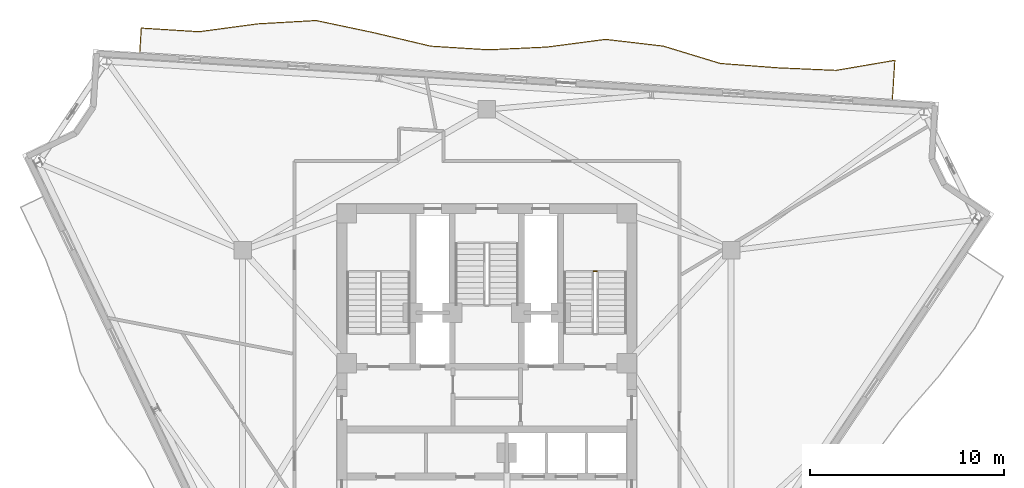
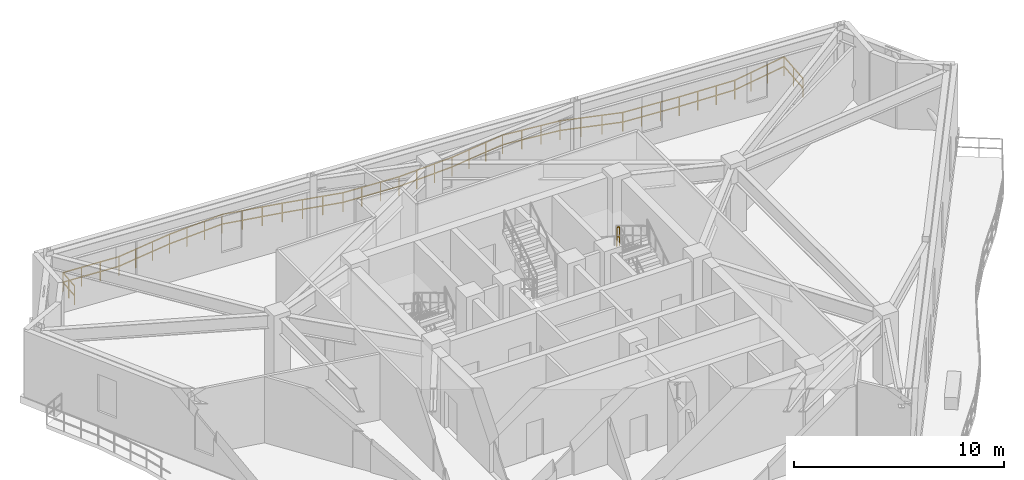
# One storey, part 11 of 11: 2 railings.
"""IFC4 building model written with IfcOpenShell, lengths in metres."""

import ifcopenshell
import ifcopenshell.guid

model = None  # the IFC model being written
_history = None  # IfcOwnerHistory: only IFC2X3 demands one
_inside = {}  # id of a spatial element -> (the spatial element, [elements in it])
_under = {}  # id of a project, library or spatial element -> (it, [spatial elements below it])
_declared = {}  # id of a project -> (the project, [libraries it declares])
_typed = {}  # id of a type object -> (the type object, [elements of that type])
_made_of = {}  # id of a material, layer set ... -> (it, [elements and type objects made of it])


def new_model(schema):
    """Start an empty IFC model of exactly this schema.

    Asked for "IFC4X3", IfcOpenShell would pick the latest addendum, in which some entities
    have other attributes; the version numbers below select the first issue.
    IFC2X3 requires an IfcOwnerHistory on every rooted entity: one is made here for all.
    """
    global model, _history
    if schema == "IFC4X3":
        model = ifcopenshell.file(schema_version=(4, 3, 0, 0))
    else:
        model = ifcopenshell.file(schema=schema)
    _inside.clear()
    _under.clear()
    _declared.clear()
    _typed.clear()
    _made_of.clear()
    _history = None
    if model.schema == "IFC2X3":
        org = make("IfcOrganization", Name="unknown")
        user = make(
            "IfcPersonAndOrganization",
            ThePerson=make("IfcPerson", FamilyName="unknown"),
            TheOrganization=org,
        )
        app = make(
            "IfcApplication",
            ApplicationDeveloper=org,
            Version="unknown",
            ApplicationFullName="unknown",
            ApplicationIdentifier="unknown",
        )
        _history = make(
            "IfcOwnerHistory",
            OwningUser=user,
            OwningApplication=app,
            ChangeAction="ADDED",
            CreationDate=0,
        )
    return model


def make(cls, **values):
    """One entity of the class cls with the attributes given. An attribute that is None is left unset."""
    return model.create_entity(
        cls, **{name: value for name, value in values.items() if value is not None}
    )


def rooted(cls, **values):
    """An entity with a GlobalId (a new one), such as an element, a storey or a relation."""
    return make(cls, GlobalId=ifcopenshell.guid.new(), OwnerHistory=_history, **values)


def si_unit(unit_type, name, prefix=None):
    """IfcSIUnit, for example si_unit("LENGTHUNIT", "METRE", prefix="MILLI")."""
    return make("IfcSIUnit", UnitType=unit_type, Prefix=prefix, Name=name)


def assignment(units):
    """IfcUnitAssignment: the units of a project."""
    return None if units is None else make("IfcUnitAssignment", Units=units)


def point(xyz):
    """IfcCartesianPoint."""
    return None if xyz is None else make("IfcCartesianPoint", Coordinates=xyz)


def direction(xyz):
    """IfcDirection."""
    return None if xyz is None else make("IfcDirection", DirectionRatios=xyz)


def frame(location, z_axis=None, x_axis=None):
    """IfcAxis2Placement3D, a coordinate frame: its origin and axes. An axis left out is left unset."""
    return make(
        "IfcAxis2Placement3D",
        Location=point(location),
        Axis=direction(z_axis),
        RefDirection=direction(x_axis),
    )


def frame_2d(location, x_axis=None):
    """IfcAxis2Placement2D, a coordinate frame in the plane: its origin and x axis."""
    return make(
        "IfcAxis2Placement2D", Location=point(location), RefDirection=direction(x_axis)
    )


def origin():
    """The frame at (0, 0, 0) with its axes left unset."""
    return frame((0.0, 0.0, 0.0))


def origin_2d():
    """The frame at (0, 0) in the plane with its x axis left unset."""
    return frame_2d((0.0, 0.0))


def place(relative_to, where):
    """IfcLocalPlacement: puts the frame where relative to a parent placement (None: the world)."""
    return make(
        "IfcLocalPlacement", PlacementRelTo=relative_to, RelativePlacement=where
    )


def context(
    kind, dimensions, precision=None, world=None, true_north=None, identifier=None
):
    """IfcGeometricRepresentationContext, for example the 3D "Model" context."""
    return make(
        "IfcGeometricRepresentationContext",
        ContextIdentifier=identifier,
        ContextType=kind,
        CoordinateSpaceDimension=dimensions,
        Precision=precision,
        WorldCoordinateSystem=world,
        TrueNorth=true_north,
    )


def subcontext(parent, identifier, kind, view, scale=None):
    """IfcGeometricRepresentationSubContext, for example "Body" below "Model"."""
    return make(
        "IfcGeometricRepresentationSubContext",
        ContextIdentifier=identifier,
        ContextType=kind,
        ParentContext=parent,
        TargetScale=scale,
        TargetView=view,
    )


def project(units=None, contexts=None):
    """IfcProject with its units and contexts."""
    return rooted(
        "IfcProject",
        Name="project",
        RepresentationContexts=contexts,
        UnitsInContext=assignment(units),
    )


def spatial(cls, under=None, at=None, **own):
    """A site, building, storey or space (cls), placed at a placement, below another one or the project."""
    s = rooted(cls, ObjectPlacement=at, **own)
    if under is not None:
        _under.setdefault(under.id(), (under, []))[1].append(s)
    return s


def profile(cls, at=None, kind="AREA", **sizes):
    """A parametric profile (cls). Its sizes go by their IFC names, for example OverallWidth=200.0."""
    return make(cls, ProfileType=kind, Position=at, **sizes)


def rectangle(**sizes):
    """IfcRectangleProfileDef."""
    return profile("IfcRectangleProfileDef", **sizes)


def extrude(swept, where, along, depth):
    """IfcExtrudedAreaSolid: the profile swept, set in the frame where, extruded along a direction by depth."""
    return make(
        "IfcExtrudedAreaSolid",
        SweptArea=swept,
        Position=where,
        ExtrudedDirection=direction(along),
        Depth=depth,
    )


def shape(context_of_items, identifier, shape_type, items):
    """IfcShapeRepresentation: the items that make up one representation, for example the "Body"."""
    return make(
        "IfcShapeRepresentation",
        ContextOfItems=context_of_items,
        RepresentationIdentifier=identifier,
        RepresentationType=shape_type,
        Items=items,
    )


def material(Name=None, Category=None):
    """IfcMaterial."""
    return make("IfcMaterial", Name=Name, Category=Category)


def made_of(thing, what):
    """Note that an element or type object is made of a material, layer set ...; save() writes the relation."""
    if what is not None:
        _made_of.setdefault(what.id(), (what, []))[1].append(thing)
    return thing


def type_object(cls, material=None, **own):
    """A type object (cls), such as IfcWallType, which elements share."""
    return made_of(rooted(cls, **own), material)


def element(
    cls,
    number,
    at=None,
    inside=None,
    cuts=None,
    type_object=None,
    material=None,
    context=None,
    identifier="Body",
    shape_type=None,
    held_by="IfcProductDefinitionShape",
    body=None,
    shapes=None,
    **own,
):
    """One element of the class cls, such as IfcWall. Its Tag is "e" and its number.

    at: its placement. inside: the storey or other place that contains it. cuts: it is an
    opening in that element (IfcRelVoidsElement). A single representation is given by context,
    identifier, shape_type and body (its items); several are given by shapes. held_by: the class
    of the entity that holds the representations. save() writes the other relations.
    """
    e = rooted(cls, Tag="e%d" % number, ObjectPlacement=at, **own)
    if body is not None:
        shapes = [shape(context, identifier, shape_type, body)]
    if shapes is not None:
        e.Representation = make(held_by, Representations=shapes)
    if inside is not None:
        _inside.setdefault(inside.id(), (inside, []))[1].append(e)
    if cuts is not None:
        rooted(
            "IfcRelVoidsElement", RelatingBuildingElement=cuts, RelatedOpeningElement=e
        )
    if type_object is not None:
        _typed.setdefault(type_object.id(), (type_object, []))[1].append(e)
    return made_of(e, material)


def aggregate(whole, parts):
    """IfcRelAggregates: a whole, such as a stair, and the parts it consists of."""
    return rooted("IfcRelAggregates", RelatingObject=whole, RelatedObjects=parts)


def save(model, path):
    """Write the relations noted so far, then the file.

    IfcRelAggregates (storeys below a building ...), IfcRelContainedInSpatialStructure (elements
    in a storey), IfcRelDefinesByType, IfcRelAssociatesMaterial and IfcRelDeclares: one each for
    every whole, place, type object, material and project.
    """
    for whole, parts in _under.values():
        aggregate(whole, parts)
    for where, things in _inside.values():
        rooted(
            "IfcRelContainedInSpatialStructure",
            RelatedElements=things,
            RelatingStructure=where,
        )
    for kind, things in _typed.values():
        rooted("IfcRelDefinesByType", RelatedObjects=things, RelatingType=kind)
    for what, things in _made_of.values():
        rooted("IfcRelAssociatesMaterial", RelatedObjects=things, RelatingMaterial=what)
    for by, libraries in _declared.values():
        rooted("IfcRelDeclares", RelatingContext=by, RelatedDefinitions=libraries)
    model.write(path)


model = new_model("IFC4")

# Units and contexts
model_context = context("Model", 3, precision=1e-05, world=origin(), true_north=direction((0.0, 1.0)))
body_context = subcontext(model_context, "Body", "Model", "MODEL_VIEW")
ifc_project = project(units=[si_unit("LENGTHUNIT", "METRE"), si_unit("AREAUNIT", "SQUARE_METRE"), si_unit("VOLUMEUNIT", "CUBIC_METRE"), si_unit("PLANEANGLEUNIT", "RADIAN"), si_unit("MASSUNIT", "GRAM", prefix="KILO")], contexts=[model_context])

# Site, building, storey
site_placement = place(None, origin())
site = spatial("IfcSite", under=ifc_project, at=site_placement, CompositionType="ELEMENT")
building_placement = place(site_placement, origin())
building = spatial("IfcBuilding", under=site, at=building_placement, Name="Apsidion Concourse Tower", CompositionType="ELEMENT")
storey_placement = place(building_placement, frame((0.0, 0.0, 294.199951171875)))
storey = spatial("IfcBuildingStorey", under=building, at=storey_placement, Name="L69", CompositionType="ELEMENT", Elevation=294.199951171875)

# Railings
ifc_material = material(Name="Brushed stainless steel 316", Category="steel")
railing_type_1 = type_object("IfcRailingType", Name="RL-BAL-1120", PredefinedType="BALUSTRADE", material=ifc_material)
railing_1_placement = place(storey_placement, frame((-17.848388671875, 17.43896484375, 0.0)))
element("IfcRailing", 1, at=railing_1_placement, inside=storey, type_object=railing_type_1, Name="L69 Face 3 Rippling Balcony Balustrade", PredefinedType="BALUSTRADE", context=body_context, shape_type="SweptSolid", body=[
    extrude(rectangle(XDim=0.048095703125, YDim=0.048095703125, at=origin_2d()), frame((0.0, 0.0, 1.09619140625), z_axis=(0.06230532804, 0.998057135688, 0.0), x_axis=(-0.998057135688, 0.06230532804, 0.0)), (0.0, 0.0, 1.0), 1.25),
    extrude(rectangle(XDim=0.048095703125, YDim=0.048095703125, at=origin_2d()), frame((0.0, 0.0, 0.5361328125), z_axis=(0.06230532804, 0.998057135688, 0.0), x_axis=(-0.998057135688, 0.06230532804, 0.0)), (0.0, 0.0, 1.0), 1.25),
    extrude(rectangle(XDim=0.048095703125, YDim=0.048095703125, at=origin_2d()), frame((0.077880859375, 1.24755859375, 1.09619140625), z_axis=(0.998063708354, -0.062199952304, 0.0), x_axis=(0.062199952304, 0.998063708354, 0.0)), (0.0, 0.0, 1.0), 2.983154296875),
    extrude(rectangle(XDim=0.048095703125, YDim=0.048095703125, at=origin_2d()), frame((0.077880859375, 1.24755859375, 0.5361328125), z_axis=(0.998063708354, -0.062199952304, 0.0), x_axis=(0.062199952304, 0.998063708354, 0.0)), (0.0, 0.0, 1.0), 2.983154296875),
    extrude(rectangle(XDim=0.048095703125, YDim=0.048095703125, at=origin_2d()), frame((3.05517578125, 1.06201171875, 1.09619140625), z_axis=(0.991092068159, 0.133178498386, 0.0), x_axis=(-0.133178498386, 0.991092068159, 0.0)), (0.0, 0.0, 1.0), 3.041259765625),
    extrude(rectangle(XDim=0.048095703125, YDim=0.048095703125, at=origin_2d()), frame((3.05517578125, 1.06201171875, 0.5361328125), z_axis=(0.991092068159, 0.133178498386, 0.0), x_axis=(-0.133178498386, 0.991092068159, 0.0)), (0.0, 0.0, 1.0), 3.041259765625),
    extrude(rectangle(XDim=0.048095703125, YDim=0.048095703125, at=origin_2d()), frame((6.0693359375, 1.467041015625, 1.09619140625), z_axis=(0.998390058637, 0.056721167258, 0.0), x_axis=(-0.056721167258, 0.998390058637, 0.0)), (0.0, 0.0, 1.0), 3.00439453125),
    extrude(rectangle(XDim=0.048095703125, YDim=0.048095703125, at=origin_2d()), frame((6.0693359375, 1.467041015625, 0.5361328125), z_axis=(0.998390058637, 0.056721167258, 0.0), x_axis=(-0.056721167258, 0.998390058637, 0.0)), (0.0, 0.0, 1.0), 3.00439453125),
    extrude(rectangle(XDim=0.048095703125, YDim=0.048095703125, at=origin_2d()), frame((9.06884765625, 1.637451171875, 1.09619140625), z_axis=(0.978546347805, -0.206026806986, 0.0), x_axis=(0.206026806986, 0.978546347805, 0.0)), (0.0, 0.0, 1.0), 3.0146484375),
    extrude(rectangle(XDim=0.048095703125, YDim=0.048095703125, at=origin_2d()), frame((9.06884765625, 1.637451171875, 0.5361328125), z_axis=(0.978546347805, -0.206026806986, 0.0), x_axis=(0.206026806986, 0.978546347805, 0.0)), (0.0, 0.0, 1.0), 3.0146484375),
    extrude(rectangle(XDim=0.048095703125, YDim=0.048095703125, at=origin_2d()), frame((12.018798828125, 1.016357421875, 1.09619140625), z_axis=(0.973125489512, -0.230275447373, 0.0), x_axis=(0.230275447373, 0.973125489512, 0.0)), (0.0, 0.0, 1.0), 3.02685546875),
    extrude(rectangle(XDim=0.048095703125, YDim=0.048095703125, at=origin_2d()), frame((12.018798828125, 1.016357421875, 0.5361328125), z_axis=(0.973125489512, -0.230275447373, 0.0), x_axis=(0.230275447373, 0.973125489512, 0.0)), (0.0, 0.0, 1.0), 3.02685546875),
    extrude(rectangle(XDim=0.048095703125, YDim=0.048095703125, at=origin_2d()), frame((14.96435546875, 0.3193359375, 1.09619140625), z_axis=(0.998058624336, -0.062281477091, 0.0), x_axis=(0.062281477091, 0.998058624336, 0.0)), (0.0, 0.0, 1.0), 2.983154296875),
    extrude(rectangle(XDim=0.048095703125, YDim=0.048095703125, at=origin_2d()), frame((14.96435546875, 0.3193359375, 0.5361328125), z_axis=(0.998058624336, -0.062281477091, 0.0), x_axis=(0.062281477091, 0.998058624336, 0.0)), (0.0, 0.0, 1.0), 2.983154296875),
    extrude(rectangle(XDim=0.048095703125, YDim=0.048095703125, at=origin_2d()), frame((17.941650390625, 0.133544921875, 1.09619140625), z_axis=(0.998916570725, 0.046536917939, 0.0), x_axis=(-0.046536917939, 0.998916570725, 0.0)), (0.0, 0.0, 1.0), 3.000732421875),
    extrude(rectangle(XDim=0.048095703125, YDim=0.048095703125, at=origin_2d()), frame((17.941650390625, 0.133544921875, 0.5361328125), z_axis=(0.998916570725, 0.046536917939, 0.0), x_axis=(-0.046536917939, 0.998916570725, 0.0)), (0.0, 0.0, 1.0), 3.000732421875),
    extrude(rectangle(XDim=0.048095703125, YDim=0.048095703125, at=origin_2d()), frame((20.939208984375, 0.273193359375, 1.09619140625), z_axis=(0.991486254689, 0.130211392599, 0.0), x_axis=(-0.130211392599, 0.991486254689, 0.0)), (0.0, 0.0, 1.0), 3.039306640625),
    extrude(rectangle(XDim=0.048095703125, YDim=0.048095703125, at=origin_2d()), frame((20.939208984375, 0.273193359375, 0.5361328125), z_axis=(0.991486254689, 0.130211392599, 0.0), x_axis=(-0.130211392599, 0.991486254689, 0.0)), (0.0, 0.0, 1.0), 3.039306640625),
    extrude(rectangle(XDim=0.048095703125, YDim=0.048095703125, at=origin_2d()), frame((23.95263671875, 0.6689453125, 1.09619140625), z_axis=(0.993243999709, -0.116044633831, 0.0), x_axis=(0.116044633831, 0.993243999709, 0.0)), (0.0, 0.0, 1.0), 2.987548828125),
    extrude(rectangle(XDim=0.048095703125, YDim=0.048095703125, at=origin_2d()), frame((23.95263671875, 0.6689453125, 0.5361328125), z_axis=(0.993243999709, -0.116044633831, 0.0), x_axis=(0.116044633831, 0.993243999709, 0.0)), (0.0, 0.0, 1.0), 2.987548828125),
    extrude(rectangle(XDim=0.048095703125, YDim=0.048095703125, at=origin_2d()), frame((26.919921875, 0.322265625, 1.09619140625), z_axis=(0.956734614104, -0.29096198751, 0.0), x_axis=(0.29096198751, 0.956734614104, 0.0)), (0.0, 0.0, 1.0), 3.06591796875),
    extrude(rectangle(XDim=0.048095703125, YDim=0.048095703125, at=origin_2d()), frame((26.919921875, 0.322265625, 0.5361328125), z_axis=(0.956734614104, -0.29096198751, 0.0), x_axis=(0.29096198751, 0.956734614104, 0.0)), (0.0, 0.0, 1.0), 3.06591796875),
    extrude(rectangle(XDim=0.048095703125, YDim=0.048095703125, at=origin_2d()), frame((29.853271484375, -0.56982421875, 1.09619140625), z_axis=(0.997149501925, -0.075451115369, 0.0), x_axis=(0.075451115369, 0.997149501925, 0.0)), (0.0, 0.0, 1.0), 2.9833984375),
    extrude(rectangle(XDim=0.048095703125, YDim=0.048095703125, at=origin_2d()), frame((29.853271484375, -0.56982421875, 0.5361328125), z_axis=(0.997149501925, -0.075451115369, 0.0), x_axis=(0.075451115369, 0.997149501925, 0.0)), (0.0, 0.0, 1.0), 2.9833984375),
    extrude(rectangle(XDim=0.048095703125, YDim=0.048095703125, at=origin_2d()), frame((32.828125, -0.794921875, 1.09619140625), z_axis=(0.999044853998, -0.043696449507, 0.0), x_axis=(0.043696449507, 0.999044853998, 0.0)), (0.0, 0.0, 1.0), 2.983642578125),
    extrude(rectangle(XDim=0.048095703125, YDim=0.048095703125, at=origin_2d()), frame((32.828125, -0.794921875, 0.5361328125), z_axis=(0.999044853998, -0.043696449507, 0.0), x_axis=(0.043696449507, 0.999044853998, 0.0)), (0.0, 0.0, 1.0), 2.983642578125),
    extrude(rectangle(XDim=0.048095703125, YDim=0.048095703125, at=origin_2d()), frame((35.808837890625, -0.92529296875, 1.09619140625), z_axis=(0.985652181064, 0.16878915239, 0.0), x_axis=(-0.16878915239, 0.985652181064, 0.0)), (0.0, 0.0, 1.0), 3.06494140625),
    extrude(rectangle(XDim=0.048095703125, YDim=0.048095703125, at=origin_2d()), frame((35.808837890625, -0.92529296875, 0.5361328125), z_axis=(0.985652181064, 0.16878915239, 0.0), x_axis=(-0.16878915239, 0.985652181064, 0.0)), (0.0, 0.0, 1.0), 3.06494140625),
    extrude(rectangle(XDim=0.048095703125, YDim=0.048095703125, at=origin_2d()), frame((38.829833984375, -0.407958984375, 1.09619140625), z_axis=(-0.062196777019, -0.998063906235, 0.0), x_axis=(0.998063906235, -0.062196777019, 0.0)), (0.0, 0.0, 1.0), 2.009765625),
    extrude(rectangle(XDim=0.048095703125, YDim=0.048095703125, at=origin_2d()), frame((38.829833984375, -0.407958984375, 0.5361328125), z_axis=(-0.062196777019, -0.998063906235, 0.0), x_axis=(0.998063906235, -0.062196777019, 0.0)), (0.0, 0.0, 1.0), 2.009765625),
    extrude(rectangle(XDim=0.0419921875, YDim=0.0419921875, at=origin_2d()), origin(), (0.0, 0.0, 1.0), 1.072021484375),
    extrude(rectangle(XDim=0.0419921875, YDim=0.0419921875, at=origin_2d()), frame((0.0390625, 0.623779296875, 0.0)), (0.0, 0.0, 1.0), 1.072021484375),
    extrude(rectangle(XDim=0.0419921875, YDim=0.0419921875, at=origin_2d()), frame((0.077880859375, 1.24755859375, 0.0)), (0.0, 0.0, 1.0), 1.072021484375),
    extrude(rectangle(XDim=0.0419921875, YDim=0.0419921875, at=origin_2d()), frame((1.0703125, 1.185791015625, 0.0)), (0.0, 0.0, 1.0), 1.072021484375),
    extrude(rectangle(XDim=0.0419921875, YDim=0.0419921875, at=origin_2d()), frame((2.062744140625, 1.123779296875, 0.0)), (0.0, 0.0, 1.0), 1.072021484375),
    extrude(rectangle(XDim=0.0419921875, YDim=0.0419921875, at=origin_2d()), frame((3.05517578125, 1.06201171875, 0.0)), (0.0, 0.0, 1.0), 1.072021484375),
    extrude(rectangle(XDim=0.0419921875, YDim=0.0419921875, at=origin_2d()), frame((4.059814453125, 1.197021484375, 0.0)), (0.0, 0.0, 1.0), 1.072021484375),
    extrude(rectangle(XDim=0.0419921875, YDim=0.0419921875, at=origin_2d()), frame((5.064697265625, 1.33203125, 0.0)), (0.0, 0.0, 1.0), 1.072021484375),
    extrude(rectangle(XDim=0.0419921875, YDim=0.0419921875, at=origin_2d()), frame((6.0693359375, 1.467041015625, 0.0)), (0.0, 0.0, 1.0), 1.072021484375),
    extrude(rectangle(XDim=0.0419921875, YDim=0.0419921875, at=origin_2d()), frame((7.069091796875, 1.52392578125, 0.0)), (0.0, 0.0, 1.0), 1.072021484375),
    extrude(rectangle(XDim=0.0419921875, YDim=0.0419921875, at=origin_2d()), frame((8.069091796875, 1.58056640625, 0.0)), (0.0, 0.0, 1.0), 1.072021484375),
    extrude(rectangle(XDim=0.0419921875, YDim=0.0419921875, at=origin_2d()), frame((9.06884765625, 1.637451171875, 0.0)), (0.0, 0.0, 1.0), 1.072021484375),
    extrude(rectangle(XDim=0.0419921875, YDim=0.0419921875, at=origin_2d()), frame((10.05224609375, 1.430419921875, 0.0)), (0.0, 0.0, 1.0), 1.072021484375),
    extrude(rectangle(XDim=0.0419921875, YDim=0.0419921875, at=origin_2d()), frame((11.035400390625, 1.223388671875, 0.0)), (0.0, 0.0, 1.0), 1.072021484375),
    extrude(rectangle(XDim=0.0419921875, YDim=0.0419921875, at=origin_2d()), frame((12.018798828125, 1.016357421875, 0.0)), (0.0, 0.0, 1.0), 1.072021484375),
    extrude(rectangle(XDim=0.0419921875, YDim=0.0419921875, at=origin_2d()), frame((13.000732421875, 0.783935546875, 0.0)), (0.0, 0.0, 1.0), 1.072021484375),
    extrude(rectangle(XDim=0.0419921875, YDim=0.0419921875, at=origin_2d()), frame((13.982421875, 0.5517578125, 0.0)), (0.0, 0.0, 1.0), 1.072021484375),
    extrude(rectangle(XDim=0.0419921875, YDim=0.0419921875, at=origin_2d()), frame((14.96435546875, 0.3193359375, 0.0)), (0.0, 0.0, 1.0), 1.072021484375),
    extrude(rectangle(XDim=0.0419921875, YDim=0.0419921875, at=origin_2d()), frame((15.956787109375, 0.25732421875, 0.0)), (0.0, 0.0, 1.0), 1.072021484375),
    extrude(rectangle(XDim=0.0419921875, YDim=0.0419921875, at=origin_2d()), frame((16.94921875, 0.195556640625, 0.0)), (0.0, 0.0, 1.0), 1.072021484375),
    extrude(rectangle(XDim=0.0419921875, YDim=0.0419921875, at=origin_2d()), frame((17.941650390625, 0.133544921875, 0.0)), (0.0, 0.0, 1.0), 1.072021484375),
    extrude(rectangle(XDim=0.0419921875, YDim=0.0419921875, at=origin_2d()), frame((18.94091796875, 0.18017578125, 0.0)), (0.0, 0.0, 1.0), 1.072021484375),
    extrude(rectangle(XDim=0.0419921875, YDim=0.0419921875, at=origin_2d()), frame((19.93994140625, 0.2265625, 0.0)), (0.0, 0.0, 1.0), 1.072021484375),
    extrude(rectangle(XDim=0.0419921875, YDim=0.0419921875, at=origin_2d()), frame((20.939208984375, 0.273193359375, 0.0)), (0.0, 0.0, 1.0), 1.072021484375),
    extrude(rectangle(XDim=0.0419921875, YDim=0.0419921875, at=origin_2d()), frame((21.943603515625, 0.405029296875, 0.0)), (0.0, 0.0, 1.0), 1.072021484375),
    extrude(rectangle(XDim=0.0419921875, YDim=0.0419921875, at=origin_2d()), frame((22.9482421875, 0.537109375, 0.0)), (0.0, 0.0, 1.0), 1.072021484375),
    extrude(rectangle(XDim=0.0419921875, YDim=0.0419921875, at=origin_2d()), frame((23.95263671875, 0.6689453125, 0.0)), (0.0, 0.0, 1.0), 1.072021484375),
    extrude(rectangle(XDim=0.0419921875, YDim=0.0419921875, at=origin_2d()), frame((24.941650390625, 0.553466796875, 0.0)), (0.0, 0.0, 1.0), 1.072021484375),
    extrude(rectangle(XDim=0.0419921875, YDim=0.0419921875, at=origin_2d()), frame((25.930908203125, 0.437744140625, 0.0)), (0.0, 0.0, 1.0), 1.072021484375),
    extrude(rectangle(XDim=0.0419921875, YDim=0.0419921875, at=origin_2d()), frame((26.919921875, 0.322265625, 0.0)), (0.0, 0.0, 1.0), 1.072021484375),
    extrude(rectangle(XDim=0.0419921875, YDim=0.0419921875, at=origin_2d()), frame((27.897705078125, 0.02490234375, 0.0)), (0.0, 0.0, 1.0), 1.072021484375),
    extrude(rectangle(XDim=0.0419921875, YDim=0.0419921875, at=origin_2d()), frame((28.87548828125, -0.2724609375, 0.0)), (0.0, 0.0, 1.0), 1.072021484375),
    extrude(rectangle(XDim=0.0419921875, YDim=0.0419921875, at=origin_2d()), frame((29.853271484375, -0.56982421875, 0.0)), (0.0, 0.0, 1.0), 1.072021484375),
    extrude(rectangle(XDim=0.0419921875, YDim=0.0419921875, at=origin_2d()), frame((30.844970703125, -0.644775390625, 0.0)), (0.0, 0.0, 1.0), 1.072021484375),
    extrude(rectangle(XDim=0.0419921875, YDim=0.0419921875, at=origin_2d()), frame((31.83642578125, -0.719970703125, 0.0)), (0.0, 0.0, 1.0), 1.072021484375),
    extrude(rectangle(XDim=0.0419921875, YDim=0.0419921875, at=origin_2d()), frame((32.828125, -0.794921875, 0.0)), (0.0, 0.0, 1.0), 1.072021484375),
    extrude(rectangle(XDim=0.0419921875, YDim=0.0419921875, at=origin_2d()), frame((33.82177734375, -0.83837890625, 0.0)), (0.0, 0.0, 1.0), 1.072021484375),
    extrude(rectangle(XDim=0.0419921875, YDim=0.0419921875, at=origin_2d()), frame((34.815185546875, -0.8818359375, 0.0)), (0.0, 0.0, 1.0), 1.072021484375),
    extrude(rectangle(XDim=0.0419921875, YDim=0.0419921875, at=origin_2d()), frame((35.808837890625, -0.92529296875, 0.0)), (0.0, 0.0, 1.0), 1.072021484375),
    extrude(rectangle(XDim=0.0419921875, YDim=0.0419921875, at=origin_2d()), frame((36.81591796875, -0.7529296875, 0.0)), (0.0, 0.0, 1.0), 1.072021484375),
    extrude(rectangle(XDim=0.0419921875, YDim=0.0419921875, at=origin_2d()), frame((37.82275390625, -0.580322265625, 0.0)), (0.0, 0.0, 1.0), 1.072021484375),
    extrude(rectangle(XDim=0.0419921875, YDim=0.0419921875, at=origin_2d()), frame((38.829833984375, -0.407958984375, 0.0)), (0.0, 0.0, 1.0), 1.072021484375),
    extrude(rectangle(XDim=0.0419921875, YDim=0.0419921875, at=origin_2d()), frame((38.767333984375, -1.410888671875, 0.0)), (0.0, 0.0, 1.0), 1.072021484375),
    extrude(rectangle(XDim=0.0419921875, YDim=0.0419921875, at=origin_2d()), frame((38.704833984375, -2.413818359375, 0.0)), (0.0, 0.0, 1.0), 1.072021484375),
])
railing_type_2 = type_object("IfcRailingType", Name="RL-GUARD-1100", PredefinedType="GUARDRAIL", material=ifc_material)
railing_2_placement = place(storey_placement, frame((5.64990234375, 6.18505859375, 2.050048828125)))
element("IfcRailing", 2, at=railing_2_placement, inside=storey, type_object=railing_type_2, Name="L69 ST2 stair guard 2", PredefinedType="GUARDRAIL", context=body_context, shape_type="SweptSolid", body=[
    extrude(rectangle(XDim=0.048095703125, YDim=0.048095703125, at=origin_2d()), frame((0.0, 0.0, 1.09619140625), z_axis=(-1.0, 0.0, 0.0), x_axis=(0.0, -1.0, 0.0)), (0.0, 0.0, 1.0), 0.14990234375),
    extrude(rectangle(XDim=0.048095703125, YDim=0.048095703125, at=origin_2d()), frame((0.0, 0.0, 0.5361328125), z_axis=(-1.0, 0.0, 0.0), x_axis=(0.0, -1.0, 0.0)), (0.0, 0.0, 1.0), 0.14990234375),
    extrude(rectangle(XDim=0.0419921875, YDim=0.0419921875, at=origin_2d()), origin(), (0.0, 0.0, 1.0), 1.072021484375),
    extrude(rectangle(XDim=0.0419921875, YDim=0.0419921875, at=origin_2d()), frame((-0.14990234375, 0.0, 0.0)), (0.0, 0.0, 1.0), 1.072021484375),
])

save(model, "model.ifc")
